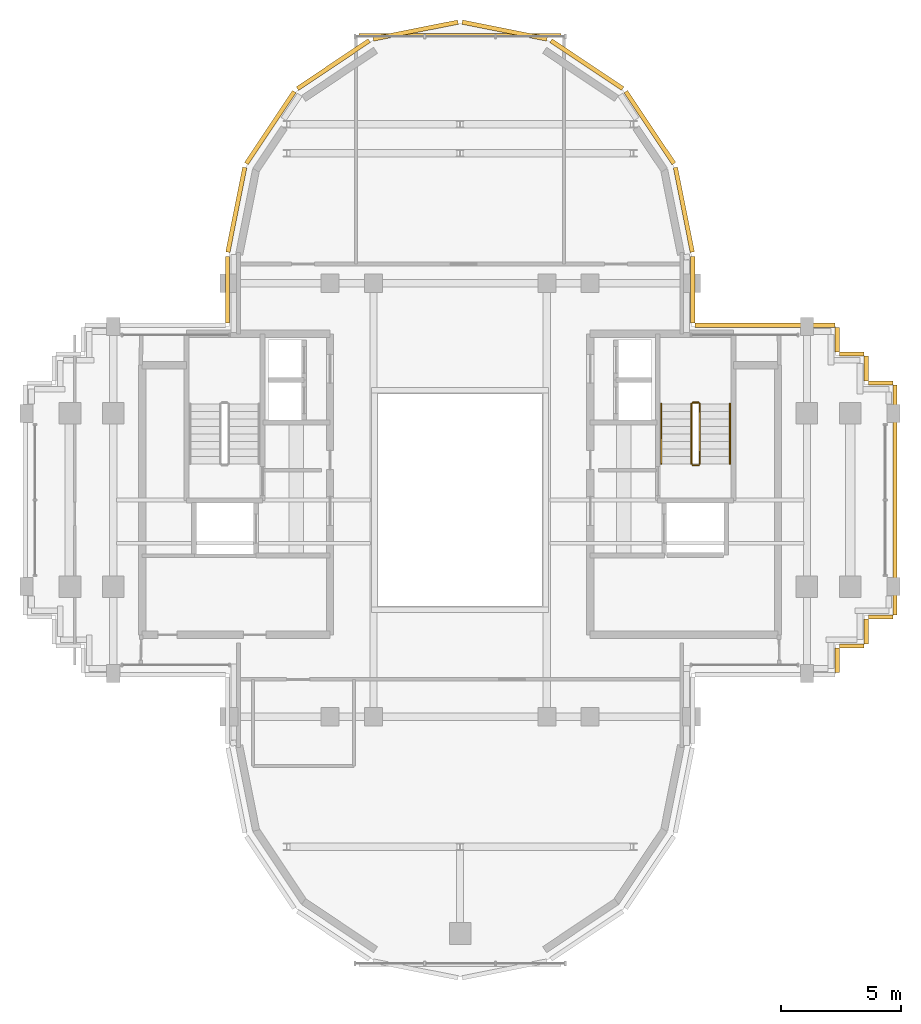
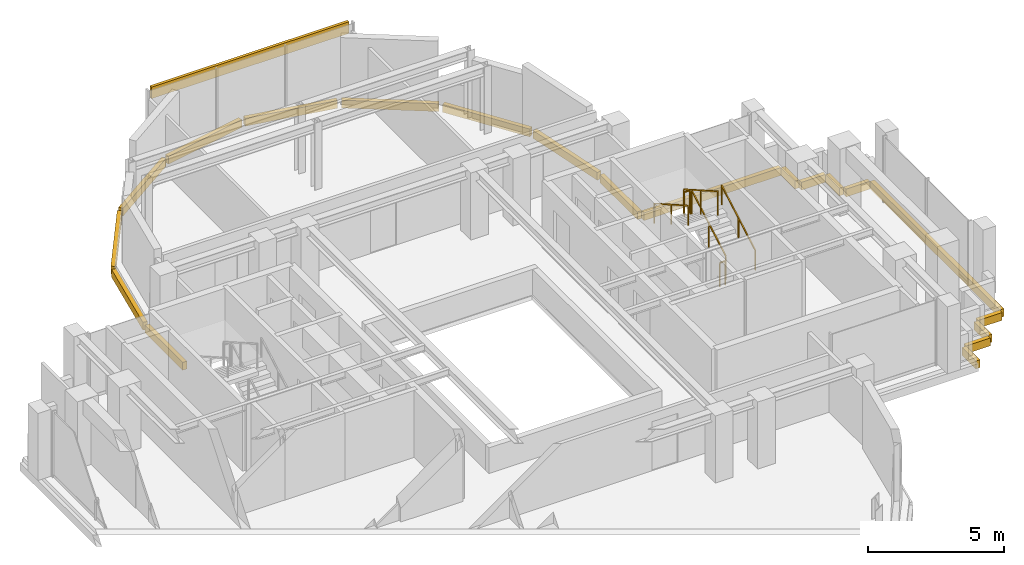
# One storey, part 12 of 12: 21 coverings, 6 railings.
"""IFC4 building model written with IfcOpenShell, lengths in metres."""

from ifc_helpers import new_model, si_unit, direction, frame, origin, origin_2d, place, context, subcontext, project, spatial, rectangle, extrude, source, transform, mapped, material, layer, layer_set, type_object, element, save


model = new_model("IFC4")

# Units and contexts
model_context = context("Model", 3, precision=1e-05, world=origin(), true_north=direction((0.0, 1.0)))
body_context = subcontext(model_context, "Body", "Model", "MODEL_VIEW")
ifc_project = project(units=[si_unit("LENGTHUNIT", "METRE"), si_unit("AREAUNIT", "SQUARE_METRE"), si_unit("VOLUMEUNIT", "CUBIC_METRE"), si_unit("PLANEANGLEUNIT", "RADIAN"), si_unit("MASSUNIT", "GRAM", prefix="KILO")], contexts=[model_context])

# Site, building, storey
site_placement = place(None, origin())
site = spatial("IfcSite", under=ifc_project, at=site_placement, CompositionType="ELEMENT")
building_placement = place(site_placement, origin())
building = spatial("IfcBuilding", under=site, at=building_placement, Name="Keilestroom Media Tower", CompositionType="ELEMENT")
storey_placement = place(building_placement, frame((0.0, 0.0, 249.199951171875)))
storey = spatial("IfcBuildingStorey", under=building, at=storey_placement, Name="L69", CompositionType="ELEMENT", Elevation=249.199951171875)

# Railings
ifc_material_1 = material(Name="Brushed Stainless Steel 1.4301", Category="steel")
railing_type_1 = type_object("IfcRailingType", Name="Stair-Pitch-Handrail-920", PredefinedType="HANDRAIL", material=ifc_material_1)
railing_1_placement = place(storey_placement, frame((11.2099609375, 1.5, 0.177734375)))
element("IfcRailing", 1, at=railing_1_placement, inside=storey, type_object=railing_type_1, Name="L69 ST-2 stair handrail 1", PredefinedType="HANDRAIL", context=body_context, shape_type="SweptSolid", body=[
    extrude(rectangle(XDim=0.048095703125, YDim=0.048095703125, at=origin_2d()), frame((0.0, 0.0, 0.8759765625), z_axis=(0.0, 0.868838684858, 0.495095283449), x_axis=(-1.0, 0.0, 0.0)), (0.0, 0.0, 1.0), 2.872802734375),
    extrude(rectangle(XDim=0.0419921875, YDim=0.0419921875, at=origin_2d()), origin(), (0.0, 0.0, 1.0), 0.84375),
    extrude(rectangle(XDim=0.0419921875, YDim=0.0419921875, at=origin_2d()), frame((0.0, 1.248046875, 0.711181640625)), (0.0, 0.0, 1.0), 0.84375),
    extrude(rectangle(XDim=0.0419921875, YDim=0.0419921875, at=origin_2d()), frame((0.0, 2.49609375, 1.42236328125)), (0.0, 0.0, 1.0), 0.84375),
])
railing_2_placement = place(storey_placement, frame((8.35009765625, 3.99609375, 1.77783203125)))
element("IfcRailing", 2, at=railing_2_placement, inside=storey, type_object=railing_type_1, Name="L69 ST-2 stair handrail 2", PredefinedType="HANDRAIL", context=body_context, shape_type="SweptSolid", body=[
    extrude(rectangle(XDim=0.048095703125, YDim=0.048095703125, at=origin_2d()), frame((0.0, 0.0, 0.8759765625), z_axis=(0.0, -0.868875238982, 0.495031129408), x_axis=(1.0, 0.0, 0.0)), (0.0, 0.0, 1.0), 2.872802734375),
    extrude(rectangle(XDim=0.0419921875, YDim=0.0419921875, at=origin_2d()), origin(), (0.0, 0.0, 1.0), 0.84375),
    extrude(rectangle(XDim=0.0419921875, YDim=0.0419921875, at=origin_2d()), frame((0.0, -1.248046875, 0.7109375)), (0.0, 0.0, 1.0), 0.84375),
    extrude(rectangle(XDim=0.0419921875, YDim=0.0419921875, at=origin_2d()), frame((0.0, -2.49609375, 1.422119140625)), (0.0, 0.0, 1.0), 0.84375),
])
ifc_material_2 = material(Name="Painted Steel Balustrade", Category="steel")
railing_type_2 = type_object("IfcRailingType", Name="Stair-Well-And-Landing-Guard-1100", PredefinedType="GUARDRAIL", material=ifc_material_2)
railing_3_placement = place(storey_placement, frame((9.949951171875, 1.5, 0.177734375)))
element("IfcRailing", 3, at=railing_3_placement, inside=storey, type_object=railing_type_2, Name="L69 ST-2 stair guard 1", PredefinedType="GUARDRAIL", context=body_context, shape_type="SweptSolid", body=[
    extrude(rectangle(XDim=0.048095703125, YDim=0.048095703125, at=origin_2d()), frame((0.0, 0.0, 1.076171875), z_axis=(0.0, 0.868838684858, 0.495095283449), x_axis=(-1.0, 0.0, 0.0)), (0.0, 0.0, 1.0), 2.872802734375),
    extrude(rectangle(XDim=0.0419921875, YDim=0.0419921875, at=origin_2d()), origin(), (0.0, 0.0, 1.0), 1.0439453125),
    extrude(rectangle(XDim=0.0419921875, YDim=0.0419921875, at=origin_2d()), frame((0.0, 1.248046875, 0.711181640625)), (0.0, 0.0, 1.0), 1.0439453125),
    extrude(rectangle(XDim=0.0419921875, YDim=0.0419921875, at=origin_2d()), frame((0.0, 2.49609375, 1.42236328125)), (0.0, 0.0, 1.0), 1.0439453125),
])
railing_4_placement = place(storey_placement, frame((9.89990234375, 4.0458984375, 1.60009765625)))
element("IfcRailing", 4, at=railing_4_placement, inside=storey, type_object=railing_type_2, Name="L69 ST-2 stair guard 2", PredefinedType="GUARDRAIL", context=body_context, shape_type="SweptSolid", body=[
    extrude(rectangle(XDim=0.048095703125, YDim=0.048095703125, at=origin_2d()), frame((0.0, 0.0, 1.076171875), z_axis=(-1.0, 0.0, 0.0), x_axis=(0.0, -1.0, 0.0)), (0.0, 0.0, 1.0), 0.239990234375),
    extrude(rectangle(XDim=0.0419921875, YDim=0.0419921875, at=origin_2d()), origin(), (0.0, 0.0, 1.0), 1.0439453125),
    extrude(rectangle(XDim=0.0419921875, YDim=0.0419921875, at=origin_2d()), frame((-0.239990234375, 0.0, 0.0)), (0.0, 0.0, 1.0), 1.0439453125),
])
railing_5_placement = place(storey_placement, frame((9.610107421875, 3.99609375, 1.77783203125)))
element("IfcRailing", 5, at=railing_5_placement, inside=storey, type_object=railing_type_2, Name="L69 ST-2 stair guard 3", PredefinedType="GUARDRAIL", context=body_context, shape_type="SweptSolid", body=[
    extrude(rectangle(XDim=0.048095703125, YDim=0.048095703125, at=origin_2d()), frame((0.0, 0.0, 1.076171875), z_axis=(0.0, -0.868875238982, 0.495031129408), x_axis=(1.0, 0.0, 0.0)), (0.0, 0.0, 1.0), 2.872802734375),
    extrude(rectangle(XDim=0.0419921875, YDim=0.0419921875, at=origin_2d()), origin(), (0.0, 0.0, 1.0), 1.0439453125),
    extrude(rectangle(XDim=0.0419921875, YDim=0.0419921875, at=origin_2d()), frame((0.0, -1.248046875, 0.7109375)), (0.0, 0.0, 1.0), 1.0439453125),
    extrude(rectangle(XDim=0.0419921875, YDim=0.0419921875, at=origin_2d()), frame((0.0, -2.49609375, 1.422119140625)), (0.0, 0.0, 1.0), 1.0439453125),
])
railing_6_placement = place(storey_placement, frame((9.89990234375, 1.449951171875, 0.0)))
element("IfcRailing", 6, at=railing_6_placement, inside=storey, type_object=railing_type_2, Name="L69 ST-2 stair guard 4", PredefinedType="GUARDRAIL", context=body_context, shape_type="SweptSolid", body=[
    extrude(rectangle(XDim=0.048095703125, YDim=0.048095703125, at=origin_2d()), frame((0.0, 0.0, 1.076171875), z_axis=(-1.0, 0.0, 0.0), x_axis=(0.0, -1.0, 0.0)), (0.0, 0.0, 1.0), 0.239990234375),
    extrude(rectangle(XDim=0.0419921875, YDim=0.0419921875, at=origin_2d()), origin(), (0.0, 0.0, 1.0), 1.0439453125),
    extrude(rectangle(XDim=0.0419921875, YDim=0.0419921875, at=origin_2d()), frame((-0.239990234375, 0.0, 0.0)), (0.0, 0.0, 1.0), 1.0439453125),
])

# Coverings
ifc_material_3 = material(Name="Precast concrete C40/50", Category="concrete")
ifc_layer = layer(ifc_material_3, 0.1201171875)
ifc_layer_set = layer_set([ifc_layer], Name="Precast concrete C40/50")
covering_type = type_object("IfcCoveringType", Name="Exterior-Precast-Spandrel-Cladding-Panel-120", PredefinedType="CLADDING", material=ifc_layer_set)
shared_shape_1 = source(origin(), body_context, "Body", "SweptSolid", [
    extrude(rectangle(XDim=8.39990234375, YDim=0.1201171875, at=origin_2d()), origin(), (0.0, 0.0, 1.0), 0.52001953125),
])
covering_1_placement = place(storey_placement, frame((0.0, 19.320068359375, 2.5), z_axis=(0.0, 0.0, 1.0), x_axis=(1.0, 0.0, 0.0)))
element("IfcCovering", 7, at=covering_1_placement, inside=storey, type_object=covering_type, Name="L69 Precast Spandrel Cladding N", PredefinedType="CLADDING", context=body_context, shape_type="MappedRepresentation", body=[
    mapped(shared_shape_1, transform((0.0, 0.0, 0.0), x_axis=(1.0, 0.0, 0.0), y_axis=(0.0, 1.0, 0.0), z_axis=(0.0, 0.0, 1.0), scale=1.0)),
])
shared_shape_2 = source(origin(), body_context, "Body", "SweptSolid", [
    extrude(rectangle(XDim=1.02001953125, YDim=0.179931640625, at=origin_2d()), origin(), (0.0, 0.0, 1.0), 0.35009765625),
])
for number, where, z_axis, x_axis, name in (
    (8, (17.4599609375, -4.860107421875, -0.530029296875), (0.0, 0.0, 1.0), (-1.0, 0.0, 0.0), "L69 Precast Slab-Edge Fascia Cornice 01"),
    (9, (16.860107421875, -5.4599609375, -0.530029296875), (0.0, 0.0, 1.0), (0.0, -1.0, 0.0), "L69 Precast Slab-Edge Fascia Cornice 02"),
    (10, (16.260009765625, -6.06005859375, -0.530029296875), (0.0, 0.0, 1.0), (-1.0, 0.0, 0.0), "L69 Precast Slab-Edge Fascia Cornice 03"),
    (11, (15.659912109375, -6.659912109375, -0.530029296875), (0.0, 0.0, 1.0), (0.0, -1.0, 0.0), "L69 Precast Slab-Edge Fascia Cornice 04"),
    (12, (15.659912109375, 6.659912109375, -0.530029296875), (0.0, 0.0, 1.0), (0.0, -1.0, 0.0), "L69 Precast Slab-Edge Fascia Cornice 38"),
    (13, (16.260009765625, 6.06005859375, -0.530029296875), (0.0, 0.0, 1.0), (1.0, 0.0, 0.0), "L69 Precast Slab-Edge Fascia Cornice 39"),
    (14, (16.860107421875, 5.4599609375, -0.530029296875), (0.0, 0.0, 1.0), (0.0, -1.0, 0.0), "L69 Precast Slab-Edge Fascia Cornice 40"),
    (15, (17.4599609375, 4.860107421875, -0.530029296875), (0.0, 0.0, 1.0), (1.0, 0.0, 0.0), "L69 Precast Slab-Edge Fascia Cornice 41"),
):
    element("IfcCovering", number, at=place(storey_placement, frame(where, z_axis=z_axis, x_axis=x_axis)), inside=storey, type_object=covering_type, Name=name, PredefinedType="CLADDING", context=body_context, shape_type="MappedRepresentation", body=[
        mapped(shared_shape_2, transform((0.0, 0.0, 0.0), x_axis=(1.0, 0.0, 0.0), y_axis=(0.0, 1.0, 0.0), z_axis=(0.0, 0.0, 1.0), scale=1.0)),
    ])
shared_shape_3 = source(origin(), body_context, "Body", "SweptSolid", [
    extrude(rectangle(XDim=5.820068359375, YDim=0.179931640625, at=origin_2d()), origin(), (0.0, 0.0, 1.0), 0.35009765625),
])
covering_2_placement = place(storey_placement, frame((12.659912109375, 7.260009765625, -0.530029296875), z_axis=(0.0, 0.0, 1.0), x_axis=(1.0, 0.0, 0.0)))
element("IfcCovering", 16, at=covering_2_placement, inside=storey, type_object=covering_type, Name="L69 Precast Slab-Edge Fascia Cornice 37", PredefinedType="CLADDING", context=body_context, shape_type="MappedRepresentation", body=[
    mapped(shared_shape_3, transform((0.0, 0.0, 0.0), x_axis=(1.0, 0.0, 0.0), y_axis=(0.0, 1.0, 0.0), z_axis=(0.0, 0.0, 1.0), scale=1.0)),
])
shared_shape_4 = source(origin(), body_context, "Body", "SweptSolid", [
    extrude(rectangle(XDim=2.765869140625, YDim=0.179931640625, at=origin_2d()), origin(), (0.0, 0.0, 1.0), 0.35009765625),
])
for number, where, z_axis, x_axis, name in (
    (17, (-9.659912109375, 8.73291015625, -0.530029296875), (0.0, 0.0, 1.0), (0.0, 1.0, 0.0), "L69 Precast Slab-Edge Fascia Cornice 27"),
    (18, (9.659912109375, 8.73291015625, -0.530029296875), (0.0, 0.0, 1.0), (0.0, -1.0, 0.0), "L69 Precast Slab-Edge Fascia Cornice 36"),
):
    element("IfcCovering", number, at=place(storey_placement, frame(where, z_axis=z_axis, x_axis=x_axis)), inside=storey, type_object=covering_type, Name=name, PredefinedType="CLADDING", context=body_context, shape_type="MappedRepresentation", body=[
        mapped(shared_shape_4, transform((0.0, 0.0, 0.0), x_axis=(1.0, 0.0, 0.0), y_axis=(0.0, 1.0, 0.0), z_axis=(0.0, 0.0, 1.0), scale=1.0)),
    ])
shared_shape_5 = source(origin(), body_context, "Body", "SweptSolid", [
    extrude(rectangle(XDim=3.58349609375, YDim=0.179931640625, at=origin_2d()), origin(), (0.0, 0.0, 1.0), 0.35009765625),
])
for number, where, z_axis, x_axis, name in (
    (19, (-9.29296875, 12.051513671875, -0.530029296875), (0.0, 0.0, 1.0), (0.195098880975, 0.980783577882, 0.0), "L69 Precast Slab-Edge Fascia Cornice 28"),
    (20, (9.29296875, 12.051513671875, -0.530029296875), (0.0, 0.0, 1.0), (0.195098880975, -0.980783577882, 0.0), "L69 Precast Slab-Edge Fascia Cornice 35"),
):
    element("IfcCovering", number, at=place(storey_placement, frame(where, z_axis=z_axis, x_axis=x_axis)), inside=storey, type_object=covering_type, Name=name, PredefinedType="CLADDING", context=body_context, shape_type="MappedRepresentation", body=[
        mapped(shared_shape_5, transform((0.0, 0.0, 0.0), x_axis=(1.0, 0.0, 0.0), y_axis=(0.0, 1.0, 0.0), z_axis=(0.0, 0.0, 1.0), scale=1.0)),
    ])
shared_shape_6 = source(origin(), body_context, "Body", "SweptSolid", [
    extrude(rectangle(XDim=3.589599609375, YDim=0.179931640625, at=origin_2d()), origin(), (0.0, 0.0, 1.0), 0.35009765625),
])
for number, where, z_axis, x_axis, name in (
    (21, (-7.878662109375, 15.46435546875, -0.530029296875), (0.0, 0.0, 1.0), (0.555574586577, 0.831466703332, 0.0), "L69 Precast Slab-Edge Fascia Cornice 29"),
    (22, (-5.264404296875, 18.07861328125, -0.530029296875), (0.0, 0.0, 1.0), (0.831466703332, 0.555574586577, 0.0), "L69 Precast Slab-Edge Fascia Cornice 30"),
    (23, (-1.8486328125, 19.493408203125, -0.530029296875), (0.0, 0.0, 1.0), (0.980783577882, 0.195098880975, 0.0), "L69 Precast Slab-Edge Fascia Cornice 31"),
    (24, (1.8486328125, 19.493408203125, -0.530029296875), (0.0, 0.0, 1.0), (0.980783577882, -0.195098880975, 0.0), "L69 Precast Slab-Edge Fascia Cornice 32"),
    (25, (5.264404296875, 18.07861328125, -0.530029296875), (0.0, 0.0, 1.0), (0.831466703332, -0.555574586577, 0.0), "L69 Precast Slab-Edge Fascia Cornice 33"),
    (26, (7.878662109375, 15.46435546875, -0.530029296875), (0.0, 0.0, 1.0), (0.555574586577, -0.831466703332, 0.0), "L69 Precast Slab-Edge Fascia Cornice 34"),
):
    element("IfcCovering", number, at=place(storey_placement, frame(where, z_axis=z_axis, x_axis=x_axis)), inside=storey, type_object=covering_type, Name=name, PredefinedType="CLADDING", context=body_context, shape_type="MappedRepresentation", body=[
        mapped(shared_shape_6, transform((0.0, 0.0, 0.0), x_axis=(1.0, 0.0, 0.0), y_axis=(0.0, 1.0, 0.0), z_axis=(0.0, 0.0, 1.0), scale=1.0)),
    ])
shared_shape_7 = source(origin(), body_context, "Body", "SweptSolid", [
    extrude(rectangle(XDim=9.5400390625, YDim=0.179931640625, at=origin_2d()), origin(), (0.0, 0.0, 1.0), 0.35009765625),
])
covering_3_placement = place(storey_placement, frame((18.06005859375, 0.0, -0.530029296875), z_axis=(0.0, 0.0, 1.0), x_axis=(0.0, -1.0, 0.0)))
element("IfcCovering", 27, at=covering_3_placement, inside=storey, type_object=covering_type, Name="L69 Precast Slab-Edge Fascia Cornice 42", PredefinedType="CLADDING", context=body_context, shape_type="MappedRepresentation", body=[
    mapped(shared_shape_7, transform((0.0, 0.0, 0.0), x_axis=(1.0, 0.0, 0.0), y_axis=(0.0, 1.0, 0.0), z_axis=(0.0, 0.0, 1.0), scale=1.0)),
])

save(model, "model.ifc")
